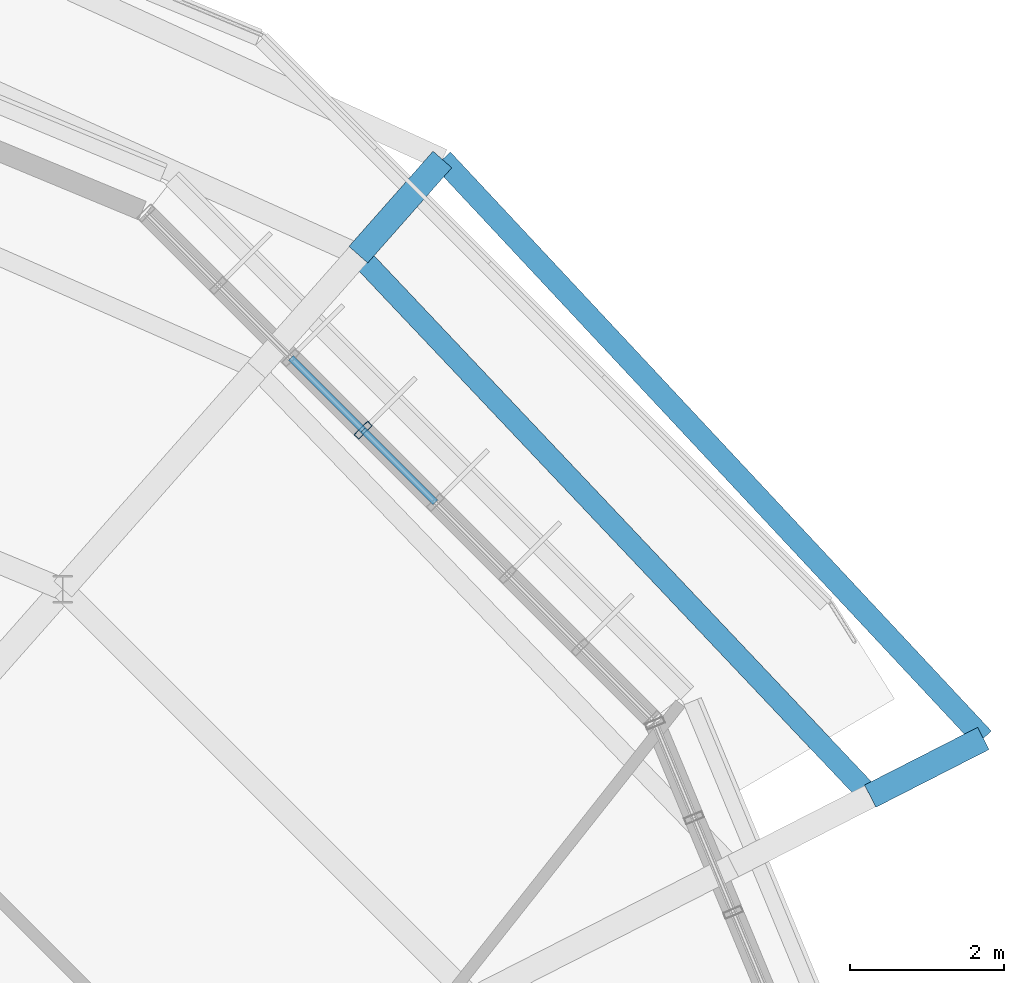
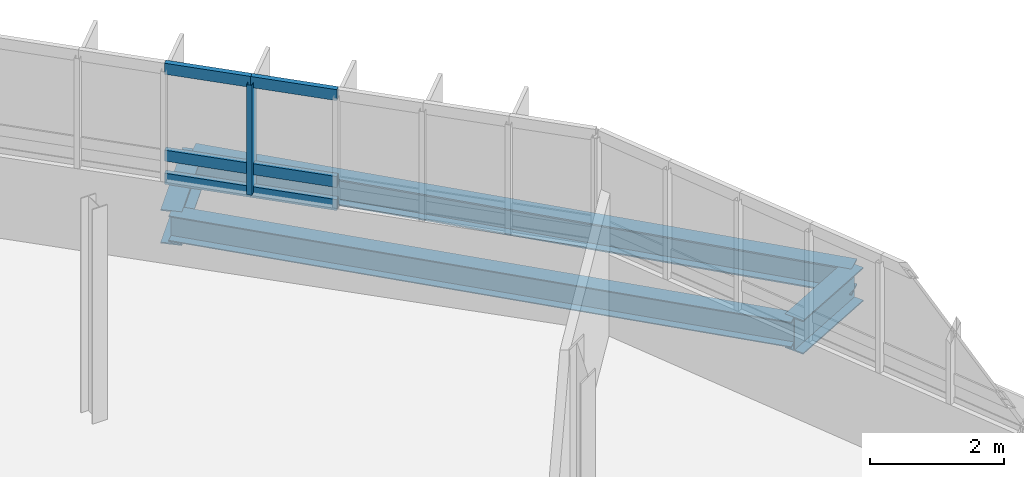
# One storey, part 22 of 31: 7 members, 4 beams, 1 element without a shape of its own.
"""IFC4 building model written with IfcOpenShell, lengths in metres."""

from ifc_helpers import new_model, si_unit, derived_unit, direction, frame, origin, origin_2d, place, context, subcontext, project, spatial, hollow_rectangle, i_section, extrude, material, layer, layer_set, material_profile, profile_set, type_object, element, aggregate, save


model = new_model("IFC4")

# Units and contexts
model_context = context("Model", 3, precision=1e-05, world=origin(), true_north=direction((0.0, 1.0)))
body_context = subcontext(model_context, "Body", "Model", "MODEL_VIEW")
ifc_project = project(units=[si_unit("LENGTHUNIT", "METRE"), si_unit("AREAUNIT", "SQUARE_METRE"), si_unit("VOLUMEUNIT", "CUBIC_METRE"), si_unit("PLANEANGLEUNIT", "RADIAN"), si_unit("MASSUNIT", "GRAM", prefix="KILO"), derived_unit("THERMALTRANSMITTANCEUNIT", [(si_unit("MASSUNIT", "GRAM", prefix="KILO"), 1), (si_unit("TIMEUNIT", "SECOND"), -3), (si_unit("THERMODYNAMICTEMPERATUREUNIT", "KELVIN"), -1)])], contexts=[model_context])

# Site, building, storey
site_placement = place(None, origin())
site = spatial("IfcSite", under=ifc_project, at=site_placement, CompositionType="ELEMENT")
building_placement = place(site_placement, origin())
building = spatial("IfcBuilding", under=site, at=building_placement, Name="Makaiwela Harbour Ferry Terminal", CompositionType="ELEMENT")
storey_placement = place(building_placement, frame((0.0, 0.0, 21.60009765625)))
storey = spatial("IfcBuildingStorey", under=building, at=storey_placement, Name="L05", CompositionType="ELEMENT", Elevation=21.60009765625)

# Curtain wall, members
ifc_material_1 = material(Name="Marine anodised aluminium 6063-T6", Category="aluminium")
ifc_layer = layer(ifc_material_1, 0.199951171875)
ifc_layer_set = layer_set([ifc_layer], Name="Marine anodised aluminium 6063-T6")
curtain_wall_type = type_object("IfcCurtainWallType", Name="ENV-CW-07", PredefinedType="USERDEFINED", material=ifc_layer_set)
curtain_wall_placement = place(storey_placement, origin())
curtain_wall = element("IfcCurtainWall", 1, at=curtain_wall_placement, inside=storey, type_object=curtain_wall_type, Name="Unitised Curtain Wall CWA-059", ObjectType="UNITIZED CURTAIN WALL", PredefinedType="USERDEFINED")
ifc_material_profile_1 = material_profile(ifc_material_1, hollow_rectangle(XDim=0.0849609375, YDim=0.25, WallThickness=0.0048828125, at=origin_2d()), Name="CWM-250X85")
ifc_profile_set_1 = profile_set([ifc_material_profile_1], Name="Marine anodised aluminium 6063-T6")
member_type_1 = type_object("IfcMemberType", Name="CW-MUL-250", PredefinedType="MULLION", material=ifc_profile_set_1)
member_1_placement = place(storey_placement, frame((51.724609375, 86.21435546875, 1.47998046875), z_axis=(0.0, 0.0, 1.0), x_axis=(-0.707106781187, 0.707106781187, 0.0)))
member_1 = element("IfcMember", 2, at=member_1_placement, type_object=member_type_1, Name="Curtain Wall Mullion CWA-059-5", PredefinedType="MULLION", context=body_context, shape_type="SweptSolid", body=[
    extrude(hollow_rectangle(XDim=0.0849609375, YDim=0.25, WallThickness=0.0048828125, at=origin_2d()), origin(), (0.0, 0.0, 1.0), 2.0),
])
ifc_material_profile_2 = material_profile(ifc_material_1, hollow_rectangle(XDim=0.0849609375, YDim=0.199951171875, WallThickness=0.0048828125, at=origin_2d()), Name="CWT-200X85")
ifc_profile_set_2 = profile_set([ifc_material_profile_2], Name="Marine anodised aluminium 6063-T6")
member_type_2 = type_object("IfcMemberType", Name="CW-TRN-200", PredefinedType="USERDEFINED", material=ifc_profile_set_2)
member_2_placement = place(storey_placement, frame((52.664306640625, 85.274658203125, 1.47998046875), z_axis=(-0.707106781187, 0.707106781187, 0.0), x_axis=(-0.707106781187, -0.707106781187, 0.0)))
member_2 = element("IfcMember", 3, at=member_2_placement, type_object=member_type_2, Name="Curtain Wall Transom CWA-059-4-1", ObjectType="TRANSOM", PredefinedType="USERDEFINED", context=body_context, shape_type="SweptSolid", body=[
    extrude(hollow_rectangle(XDim=0.0849609375, YDim=0.199951171875, WallThickness=0.0048828125, at=origin_2d()), origin(), (0.0, 0.0, 1.0), 1.328857421875),
])
member_3_placement = place(storey_placement, frame((52.664306640625, 85.274658203125, 1.89990234375), z_axis=(-0.707106781187, 0.707106781187, 0.0), x_axis=(-0.707106781187, -0.707106781187, 0.0)))
member_3 = element("IfcMember", 4, at=member_3_placement, type_object=member_type_2, Name="Curtain Wall Transom CWA-059-4-2", ObjectType="TRANSOM", PredefinedType="USERDEFINED", context=body_context, shape_type="SweptSolid", body=[
    extrude(hollow_rectangle(XDim=0.0849609375, YDim=0.199951171875, WallThickness=0.0048828125, at=origin_2d()), origin(), (0.0, 0.0, 1.0), 1.328857421875),
])
member_4_placement = place(storey_placement, frame((52.664306640625, 85.274658203125, 3.47998046875), z_axis=(-0.707106781187, 0.707106781187, 0.0), x_axis=(-0.707106781187, -0.707106781187, 0.0)))
member_4 = element("IfcMember", 5, at=member_4_placement, type_object=member_type_2, Name="Curtain Wall Transom CWA-059-4-3", ObjectType="TRANSOM", PredefinedType="USERDEFINED", context=body_context, shape_type="SweptSolid", body=[
    extrude(hollow_rectangle(XDim=0.0849609375, YDim=0.199951171875, WallThickness=0.0048828125, at=origin_2d()), origin(), (0.0, 0.0, 1.0), 1.328857421875),
])
member_5_placement = place(storey_placement, frame((51.724609375, 86.21435546875, 1.47998046875), z_axis=(-0.707106781187, 0.707106781187, 0.0), x_axis=(-0.707106781187, -0.707106781187, 0.0)))
member_5 = element("IfcMember", 6, at=member_5_placement, type_object=member_type_2, Name="Curtain Wall Transom CWA-059-5-1", ObjectType="TRANSOM", PredefinedType="USERDEFINED", context=body_context, shape_type="SweptSolid", body=[
    extrude(hollow_rectangle(XDim=0.0849609375, YDim=0.199951171875, WallThickness=0.0048828125, at=origin_2d()), origin(), (0.0, 0.0, 1.0), 1.329345703125),
])
member_6_placement = place(storey_placement, frame((51.724609375, 86.21435546875, 1.89990234375), z_axis=(-0.707106781187, 0.707106781187, 0.0), x_axis=(-0.707106781187, -0.707106781187, 0.0)))
member_6 = element("IfcMember", 7, at=member_6_placement, type_object=member_type_2, Name="Curtain Wall Transom CWA-059-5-2", ObjectType="TRANSOM", PredefinedType="USERDEFINED", context=body_context, shape_type="SweptSolid", body=[
    extrude(hollow_rectangle(XDim=0.0849609375, YDim=0.199951171875, WallThickness=0.0048828125, at=origin_2d()), origin(), (0.0, 0.0, 1.0), 1.329345703125),
])
member_7_placement = place(storey_placement, frame((51.724609375, 86.21435546875, 3.47998046875), z_axis=(-0.707106781187, 0.707106781187, 0.0), x_axis=(-0.707106781187, -0.707106781187, 0.0)))
member_7 = element("IfcMember", 8, at=member_7_placement, type_object=member_type_2, Name="Curtain Wall Transom CWA-059-5-3", ObjectType="TRANSOM", PredefinedType="USERDEFINED", context=body_context, shape_type="SweptSolid", body=[
    extrude(hollow_rectangle(XDim=0.0849609375, YDim=0.199951171875, WallThickness=0.0048828125, at=origin_2d()), origin(), (0.0, 0.0, 1.0), 1.329345703125),
])
aggregate(curtain_wall, [member_1, member_2, member_3, member_4, member_5, member_6, member_7])

# Beams
ifc_material_2 = material(Name="Steel ASTM A992 Grade 50", Category="steel")
ifc_material_profile_3 = material_profile(ifc_material_2, i_section(OverallWidth=0.280029296875, OverallDepth=0.462890625, WebThickness=0.0107421875, FlangeThickness=0.017333984375, at=origin_2d()), Name="W18X76")
ifc_profile_set_3 = profile_set([ifc_material_profile_3], Name="Steel ASTM A992 Grade 50")
beam_type_1 = type_object("IfcBeamType", Name="STR-BM-W18X76", PredefinedType="BEAM", material=ifc_profile_set_3)
beam_1_placement = place(storey_placement, frame((58.313720703125, 81.458740234375, -0.481689453125), z_axis=(-0.686996615629, 0.726660615497, 0.0), x_axis=(-0.726660615497, -0.686996615629, 0.0)))
element("IfcBeam", 9, at=beam_1_placement, inside=storey, type_object=beam_type_1, Name="Drum stage2 tie girder 580", PredefinedType="BEAM", context=body_context, shape_type="SweptSolid", body=[
    extrude(i_section(OverallWidth=0.280029296875, OverallDepth=0.462890625, WebThickness=0.0107421875, FlangeThickness=0.017333984375, at=origin_2d()), origin(), (0.0, 0.0, 1.0), 9.68212890625),
])
ifc_material_profile_4 = material_profile(ifc_material_2, i_section(OverallWidth=0.324951171875, OverallDepth=0.615966796875, WebThickness=0.013916015625, FlangeThickness=0.021484375, at=origin_2d()), Name="W24X117")
ifc_profile_set_4 = profile_set([ifc_material_profile_4], Name="Steel ASTM A992 Grade 50")
beam_type_2 = type_object("IfcBeamType", Name="STR-GRD-W24X117", PredefinedType="USERDEFINED", material=ifc_profile_set_4)
beam_2_placement = place(storey_placement, frame((58.313720703125, 81.458740234375, -0.55810546875), z_axis=(0.890787540779, 0.454420022879, 0.0), x_axis=(-0.454420022879, 0.890787540779, 0.0)))
element("IfcBeam", 10, at=beam_2_placement, inside=storey, type_object=beam_type_2, Name="Promenade terrace bracket 528", ObjectType="GIRDER", PredefinedType="USERDEFINED", context=body_context, shape_type="SweptSolid", body=[
    extrude(i_section(OverallWidth=0.324951171875, OverallDepth=0.615966796875, WebThickness=0.013916015625, FlangeThickness=0.021484375, at=origin_2d()), origin(), (0.0, 0.0, 1.0), 1.64990234375),
])
beam_3_placement = place(storey_placement, frame((51.662109375, 88.494384765625, -0.55810546875), z_axis=(0.662037440407, 0.749470764939, 0.0), x_axis=(-0.749470764939, 0.662037440407, 0.0)))
element("IfcBeam", 11, at=beam_3_placement, inside=storey, type_object=beam_type_2, Name="Promenade terrace bracket 532", ObjectType="GIRDER", PredefinedType="USERDEFINED", context=body_context, shape_type="SweptSolid", body=[
    extrude(i_section(OverallWidth=0.324951171875, OverallDepth=0.615966796875, WebThickness=0.013916015625, FlangeThickness=0.021484375, at=origin_2d()), origin(), (0.0, 0.0, 1.0), 1.650146484375),
])
ifc_material_profile_5 = material_profile(ifc_material_2, i_section(OverallWidth=0.283935546875, OverallDepth=0.47607421875, WebThickness=0.014892578125, FlangeThickness=0.02392578125, at=origin_2d()), Name="W18X106")
ifc_profile_set_5 = profile_set([ifc_material_profile_5], Name="Steel ASTM A992 Grade 50")
beam_type_3 = type_object("IfcBeamType", Name="STR-SPN-W18X106", PredefinedType="SPANDREL", material=ifc_profile_set_5)
beam_4_placement = place(storey_placement, frame((59.783447265625, 82.20849609375, -0.488037109375), z_axis=(-0.682713564409, 0.730686108375, 0.0), x_axis=(-0.730686108375, -0.682713564409, 0.0)))
element("IfcBeam", 12, at=beam_4_placement, inside=storey, type_object=beam_type_3, Name="Drum perimeter spandrel 603", PredefinedType="SPANDREL", context=body_context, shape_type="SweptSolid", body=[
    extrude(i_section(OverallWidth=0.283935546875, OverallDepth=0.47607421875, WebThickness=0.014892578125, FlangeThickness=0.02392578125, at=origin_2d()), origin(), (0.0, 0.0, 1.0), 10.29541015625),
])

save(model, "model.ifc")
